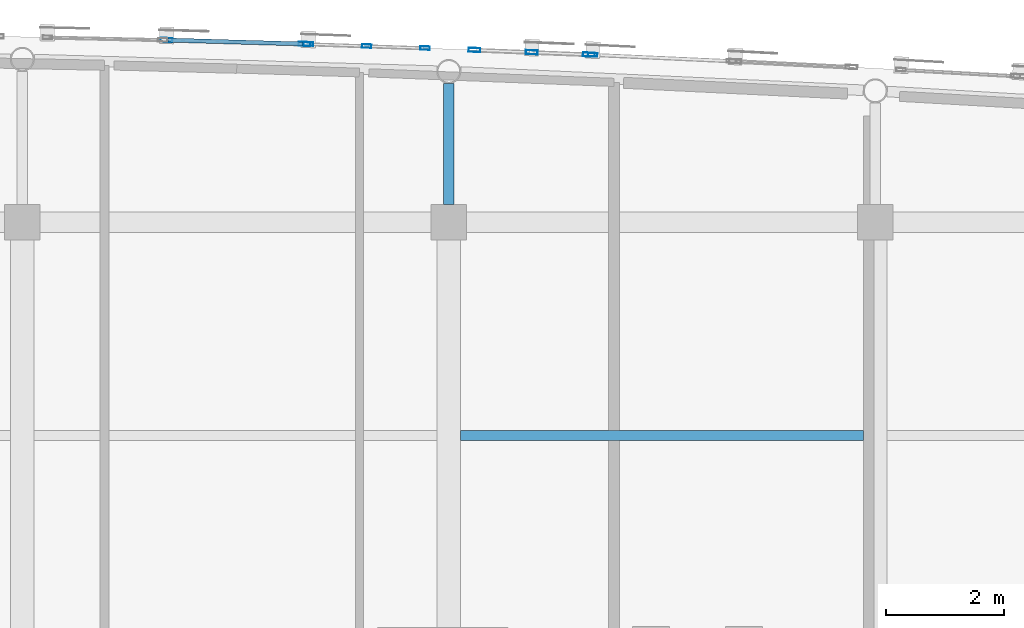
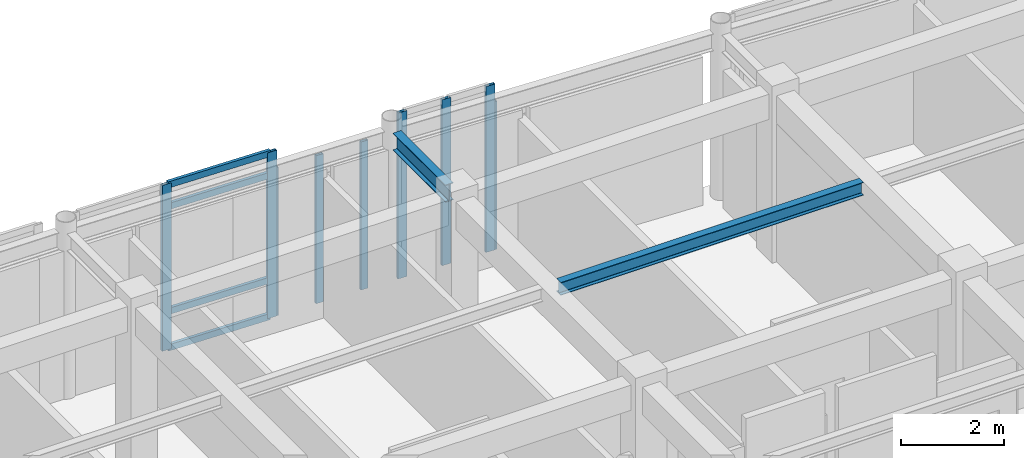
# One storey, part 50 of 113: 13 members, 2 beams, 4 elements without a shape of their own.
"""IFC4 building model written with IfcOpenShell, lengths in metres."""

from ifc_helpers import new_model, si_unit, direction, frame, origin, origin_2d, place, context, subcontext, project, spatial, hollow_rectangle, i_section, extrude, material, layer, layer_set, material_profile, profile_set, type_object, element, aggregate, save


model = new_model("IFC4")

# Units and contexts
model_context = context("Model", 3, precision=1e-05, world=origin(), true_north=direction((0.0, 1.0)))
body_context = subcontext(model_context, "Body", "Model", "MODEL_VIEW")
ifc_project = project(units=[si_unit("LENGTHUNIT", "METRE"), si_unit("AREAUNIT", "SQUARE_METRE"), si_unit("VOLUMEUNIT", "CUBIC_METRE"), si_unit("PLANEANGLEUNIT", "RADIAN"), si_unit("MASSUNIT", "GRAM", prefix="KILO")], contexts=[model_context])

# Site, building, storey
site_placement = place(None, origin())
site = spatial("IfcSite", under=ifc_project, at=site_placement, CompositionType="ELEMENT")
building_placement = place(site_placement, origin())
building = spatial("IfcBuilding", under=site, at=building_placement, Name="Carrowvane Square Congress Hotel", CompositionType="ELEMENT")
storey_placement = place(building_placement, frame((0.0, 0.0, 15.0)))
storey = spatial("IfcBuildingStorey", under=building, at=storey_placement, Name="L03", CompositionType="ELEMENT", Elevation=15.0)

# Beams
ifc_material_1 = material(Name="Steel S355", Category="steel")
ifc_material_profile_1 = material_profile(ifc_material_1, i_section(OverallWidth=0.165771484375, OverallDepth=0.306640625, WebThickness=0.006591796875, FlangeThickness=0.01171875, FilletRadius=0.0087890625, at=origin_2d()), Name="UKB 305x165x46")
ifc_profile_set_1 = profile_set([ifc_material_profile_1], Name="Steel S355")
beam_type_1 = type_object("IfcBeamType", Name="BM-ST-UKB305", PredefinedType="JOIST", material=ifc_profile_set_1)
beam_1_placement = place(storey_placement, frame((112.60009765625, 109.800048828125, 3.78662109375), z_axis=(1.0, 0.0, 0.0), x_axis=(0.0, 1.0, 0.0)))
element("IfcBeam", 1, at=beam_1_placement, inside=storey, type_object=beam_type_1, Name="L04 secondary joist 15-16", PredefinedType="JOIST", context=body_context, shape_type="SweptSolid", body=[
    extrude(i_section(OverallWidth=0.165771484375, OverallDepth=0.306640625, WebThickness=0.006591796875, FlangeThickness=0.01171875, FilletRadius=0.0087890625, at=origin_2d()), origin(), (0.0, 0.0, 1.0), 6.7998046875),
])
ifc_material_2 = material(Name="Steel S355", Category="steel")
ifc_material_profile_2 = material_profile(ifc_material_2, i_section(OverallWidth=0.1787109375, OverallDepth=0.409423828125, WebThickness=0.0087890625, FlangeThickness=0.014404296875, FilletRadius=0.01025390625, at=origin_2d()), Name="UKB 406x178x67")
ifc_profile_set_2 = profile_set([ifc_material_profile_2], Name="Steel S355")
beam_type_2 = type_object("IfcBeamType", Name="BM-ST-UKB406", PredefinedType="BEAM", material=ifc_profile_set_2)
beam_2_placement = place(storey_placement, frame((112.39990234375, 113.699951171875, 3.7353515625), z_axis=(0.0, 1.0, 0.0), x_axis=(-1.0, 0.0, 0.0)))
element("IfcBeam", 2, at=beam_2_placement, inside=storey, type_object=beam_type_2, Name="L04 radial north beam 15", PredefinedType="BEAM", context=body_context, shape_type="SweptSolid", body=[
    extrude(i_section(OverallWidth=0.1787109375, OverallDepth=0.409423828125, WebThickness=0.0087890625, FlangeThickness=0.014404296875, FilletRadius=0.01025390625, at=origin_2d()), origin(), (0.0, 0.0, 1.0), 2.040771484375),
])

# Curtain wall, members
ifc_material_3 = material(Name="Anodised aluminium", Category="aluminium")
ifc_layer_1 = layer(ifc_material_3, 0.23388671875)
ifc_layer_set_1 = layer_set([ifc_layer_1], Name="Anodised aluminium")
curtain_wall_type_1 = type_object("IfcCurtainWallType", Name="CW-SYS-7", PredefinedType="NOTDEFINED", material=ifc_layer_set_1)
curtain_wall_1_placement = place(storey_placement, origin())
curtain_wall_1 = element("IfcCurtainWall", 3, at=curtain_wall_1_placement, inside=storey, type_object=curtain_wall_type_1, Name="L03 unitised curtain wall 222", PredefinedType="NOTDEFINED")
ifc_material_4 = material(Name="Anodised aluminium", Category="aluminium")
ifc_material_profile_3 = material_profile(ifc_material_4, hollow_rectangle(XDim=0.06005859375, YDim=0.159912109375, WallThickness=0.00390625, at=origin_2d()), Name="CW-ML 60x160x4")
ifc_profile_set_3 = profile_set([ifc_material_profile_3], Name="Anodised aluminium")
member_type_1 = type_object("IfcMemberType", Name="CW-MUL-1", PredefinedType="MULLION", material=ifc_profile_set_3)
member_1_placement = place(storey_placement, frame((110.030029296875, 116.406005859375, 0.0), z_axis=(0.0, 0.0, 1.0), x_axis=(0.034529948347, 0.999403663525, 0.0)))
member_1 = element("IfcMember", 4, at=member_1_placement, type_object=member_type_1, Name="CW-7 mullion 1", PredefinedType="MULLION", context=body_context, shape_type="SweptSolid", body=[
    extrude(hollow_rectangle(XDim=0.06005859375, YDim=0.159912109375, WallThickness=0.00390625, at=origin_2d()), origin(), (0.0, 0.0, 1.0), 3.515625),
])
member_2_placement = place(storey_placement, frame((111.0146484375, 116.371826171875, 0.0), z_axis=(0.0, 0.0, 1.0), x_axis=(0.034529948347, 0.999403663525, 0.0)))
member_2 = element("IfcMember", 5, at=member_2_placement, type_object=member_type_1, Name="CW-7 mullion 2", PredefinedType="MULLION", context=body_context, shape_type="SweptSolid", body=[
    extrude(hollow_rectangle(XDim=0.06005859375, YDim=0.159912109375, WallThickness=0.00390625, at=origin_2d()), origin(), (0.0, 0.0, 1.0), 3.515625),
])
member_3_placement = place(storey_placement, frame((111.99951171875, 116.337890625, 0.0), z_axis=(0.0, 0.0, 1.0), x_axis=(0.034529948347, 0.999403663525, 0.0)))
member_3 = element("IfcMember", 6, at=member_3_placement, type_object=member_type_1, Name="CW-7 mullion 3", PredefinedType="MULLION", context=body_context, shape_type="SweptSolid", body=[
    extrude(hollow_rectangle(XDim=0.06005859375, YDim=0.159912109375, WallThickness=0.00390625, at=origin_2d()), origin(), (0.0, 0.0, 1.0), 3.515625),
])
aggregate(curtain_wall_1, [member_1, member_2, member_3])

# Curtain wall, member
ifc_material_5 = material(Name="Anodised aluminium", Category="aluminium")
ifc_layer_2 = layer(ifc_material_5, 0.162109375)
ifc_layer_set_2 = layer_set([ifc_layer_2], Name="Anodised aluminium")
curtain_wall_type_2 = type_object("IfcCurtainWallType", Name="CW-SYS-1", PredefinedType="NOTDEFINED", material=ifc_layer_set_2)
curtain_wall_2_placement = place(storey_placement, origin())
curtain_wall_2 = element("IfcCurtainWall", 7, at=curtain_wall_2_placement, inside=storey, type_object=curtain_wall_type_2, Name="L03 unitised curtain wall 224", PredefinedType="NOTDEFINED")
member_4_placement = place(storey_placement, frame((114.830078125, 116.226318359375, 0.0), z_axis=(0.0, 0.0, 1.0), x_axis=(0.045411059449, 0.998968385726, 0.0)))
member_4 = element("IfcMember", 8, at=member_4_placement, type_object=member_type_1, Name="CW-1 mullion 1", PredefinedType="MULLION", context=body_context, shape_type="SweptSolid", body=[
    extrude(hollow_rectangle(XDim=0.06005859375, YDim=0.159912109375, WallThickness=0.00390625, at=origin_2d()), origin(), (0.0, 0.0, 1.0), 3.515625),
])
aggregate(curtain_wall_2, [member_4])

# Curtain wall, members
ifc_material_6 = material(Name="Anodised aluminium", Category="aluminium")
ifc_layer_3 = layer(ifc_material_6, 0.221923828125)
ifc_layer_set_3 = layer_set([ifc_layer_3], Name="Anodised aluminium")
curtain_wall_type_3 = type_object("IfcCurtainWallType", Name="CW-SYS-6", PredefinedType="NOTDEFINED", material=ifc_layer_set_3)
curtain_wall_3_placement = place(storey_placement, origin())
curtain_wall_3 = element("IfcCurtainWall", 9, at=curtain_wall_3_placement, inside=storey, type_object=curtain_wall_type_3, Name="L03 unitised curtain wall 221", PredefinedType="NOTDEFINED")
ifc_material_7 = material(Name="Anodised aluminium", Category="aluminium")
ifc_material_profile_4 = material_profile(ifc_material_7, hollow_rectangle(XDim=0.070068359375, YDim=0.199951171875, WallThickness=0.0048828125, at=origin_2d()), Name="CW-ML 70x200x5")
ifc_profile_set_4 = profile_set([ifc_material_profile_4], Name="Anodised aluminium")
member_type_2 = type_object("IfcMemberType", Name="CW-MUL-2", PredefinedType="MULLION", material=ifc_profile_set_4)
member_5_placement = place(storey_placement, frame((107.635009765625, 116.474609375, 0.0), z_axis=(0.0, 0.0, 1.0), x_axis=(0.028638010501, 0.999589848065, 0.0)))
member_5 = element("IfcMember", 10, at=member_5_placement, type_object=member_type_2, Name="CW-6 mullion 1", PredefinedType="MULLION", context=body_context, shape_type="SweptSolid", body=[
    extrude(hollow_rectangle(XDim=0.070068359375, YDim=0.199951171875, WallThickness=0.0048828125, at=origin_2d()), origin(), (0.0, 0.0, 1.0), 3.93994140625),
])
member_6_placement = place(storey_placement, frame((109.965087890625, 116.407958984375, 0.0), z_axis=(0.0, 0.0, 1.0), x_axis=(0.028638010501, 0.999589848065, 0.0)))
member_6 = element("IfcMember", 11, at=member_6_placement, type_object=member_type_2, Name="CW-6 mullion 2", PredefinedType="MULLION", context=body_context, shape_type="SweptSolid", body=[
    extrude(hollow_rectangle(XDim=0.070068359375, YDim=0.199951171875, WallThickness=0.0048828125, at=origin_2d()), origin(), (0.0, 0.0, 1.0), 3.93994140625),
])

ifc_material_8 = material(Name="Anodised aluminium", Category="aluminium")
ifc_layer_4 = layer(ifc_material_8, 0.24609375)
ifc_layer_set_4 = layer_set([ifc_layer_4], Name="Anodised aluminium")
curtain_wall_type_4 = type_object("IfcCurtainWallType", Name="CW-SYS-8", PredefinedType="NOTDEFINED", material=ifc_layer_set_4)
curtain_wall_4_placement = place(storey_placement, origin())
curtain_wall_4 = element("IfcCurtainWall", 12, at=curtain_wall_4_placement, inside=storey, type_object=curtain_wall_type_4, Name="L03 unitised curtain wall 223", PredefinedType="NOTDEFINED")
member_7_placement = place(storey_placement, frame((112.833740234375, 116.306640625, 0.0), z_axis=(0.0, 0.0, 1.0), x_axis=(0.040130957403, 0.999194428656, 0.0)))
member_7 = element("IfcMember", 13, at=member_7_placement, type_object=member_type_2, Name="CW-8 mullion 1", PredefinedType="MULLION", context=body_context, shape_type="SweptSolid", body=[
    extrude(hollow_rectangle(XDim=0.070068359375, YDim=0.199951171875, WallThickness=0.0048828125, at=origin_2d()), origin(), (0.0, 0.0, 1.0), 3.93994140625),
])
member_8_placement = place(storey_placement, frame((113.79931640625, 116.267822265625, 0.0), z_axis=(0.0, 0.0, 1.0), x_axis=(0.040130957403, 0.999194428656, 0.0)))
member_8 = element("IfcMember", 14, at=member_8_placement, type_object=member_type_2, Name="CW-8 mullion 2", PredefinedType="MULLION", context=body_context, shape_type="SweptSolid", body=[
    extrude(hollow_rectangle(XDim=0.070068359375, YDim=0.199951171875, WallThickness=0.0048828125, at=origin_2d()), origin(), (0.0, 0.0, 1.0), 3.93994140625),
])
member_9_placement = place(storey_placement, frame((114.764892578125, 116.22900390625, 0.0), z_axis=(0.0, 0.0, 1.0), x_axis=(0.040130957403, 0.999194428656, 0.0)))
member_9 = element("IfcMember", 15, at=member_9_placement, type_object=member_type_2, Name="CW-8 mullion 3", PredefinedType="MULLION", context=body_context, shape_type="SweptSolid", body=[
    extrude(hollow_rectangle(XDim=0.070068359375, YDim=0.199951171875, WallThickness=0.0048828125, at=origin_2d()), origin(), (0.0, 0.0, 1.0), 3.93994140625),
])
aggregate(curtain_wall_4, [member_7, member_8, member_9])

# Member
ifc_material_9 = material(Name="Anodised aluminium", Category="aluminium")
ifc_material_profile_5 = material_profile(ifc_material_9, hollow_rectangle(XDim=0.070068359375, YDim=0.14990234375, WallThickness=0.0048828125, at=origin_2d()), Name="CW-TR 70x150x5")
ifc_profile_set_5 = profile_set([ifc_material_profile_5], Name="Anodised aluminium")
member_type_3 = type_object("IfcMemberType", Name="CW-TRN-2", PredefinedType="USERDEFINED", material=ifc_profile_set_5)
member_10_placement = place(storey_placement, frame((107.669921875, 116.4736328125, 0.034912109375), z_axis=(0.999590499539, -0.028615262221, 0.0), x_axis=(0.028615262221, 0.999590499539, 0.0)))
member_10 = element("IfcMember", 16, at=member_10_placement, type_object=member_type_3, Name="CW-6 transom 1.1", ObjectType="TRANSOM", PredefinedType="USERDEFINED", context=body_context, shape_type="SweptSolid", body=[
    extrude(hollow_rectangle(XDim=0.070068359375, YDim=0.14990234375, WallThickness=0.0048828125, at=origin_2d()), origin(), (0.0, 0.0, 1.0), 2.260986328125),
])

member_11_placement = place(storey_placement, frame((107.669921875, 116.4736328125, 0.89990234375), z_axis=(0.999590499539, -0.028615262221, 0.0), x_axis=(0.028615262221, 0.999590499539, 0.0)))
member_11 = element("IfcMember", 17, at=member_11_placement, type_object=member_type_3, Name="CW-6 transom 1.2", ObjectType="TRANSOM", PredefinedType="USERDEFINED", context=body_context, shape_type="SweptSolid", body=[
    extrude(hollow_rectangle(XDim=0.070068359375, YDim=0.14990234375, WallThickness=0.0048828125, at=origin_2d()), origin(), (0.0, 0.0, 1.0), 2.260986328125),
])

member_12_placement = place(storey_placement, frame((107.669921875, 116.4736328125, 3.389892578125), z_axis=(0.999590499539, -0.028615262221, 0.0), x_axis=(0.028615262221, 0.999590499539, 0.0)))
member_12 = element("IfcMember", 18, at=member_12_placement, type_object=member_type_3, Name="CW-6 transom 1.3", ObjectType="TRANSOM", PredefinedType="USERDEFINED", context=body_context, shape_type="SweptSolid", body=[
    extrude(hollow_rectangle(XDim=0.070068359375, YDim=0.14990234375, WallThickness=0.0048828125, at=origin_2d()), origin(), (0.0, 0.0, 1.0), 2.260986328125),
])

member_13_placement = place(storey_placement, frame((107.669921875, 116.4736328125, 3.905029296875), z_axis=(0.999590499539, -0.028615262221, 0.0), x_axis=(0.028615262221, 0.999590499539, 0.0)))
member_13 = element("IfcMember", 19, at=member_13_placement, type_object=member_type_3, Name="CW-6 transom 1.4", ObjectType="TRANSOM", PredefinedType="USERDEFINED", context=body_context, shape_type="SweptSolid", body=[
    extrude(hollow_rectangle(XDim=0.070068359375, YDim=0.14990234375, WallThickness=0.0048828125, at=origin_2d()), origin(), (0.0, 0.0, 1.0), 2.260986328125),
])

aggregate(curtain_wall_3, [member_5, member_6, member_10, member_11, member_12, member_13])

save(model, "model.ifc")
